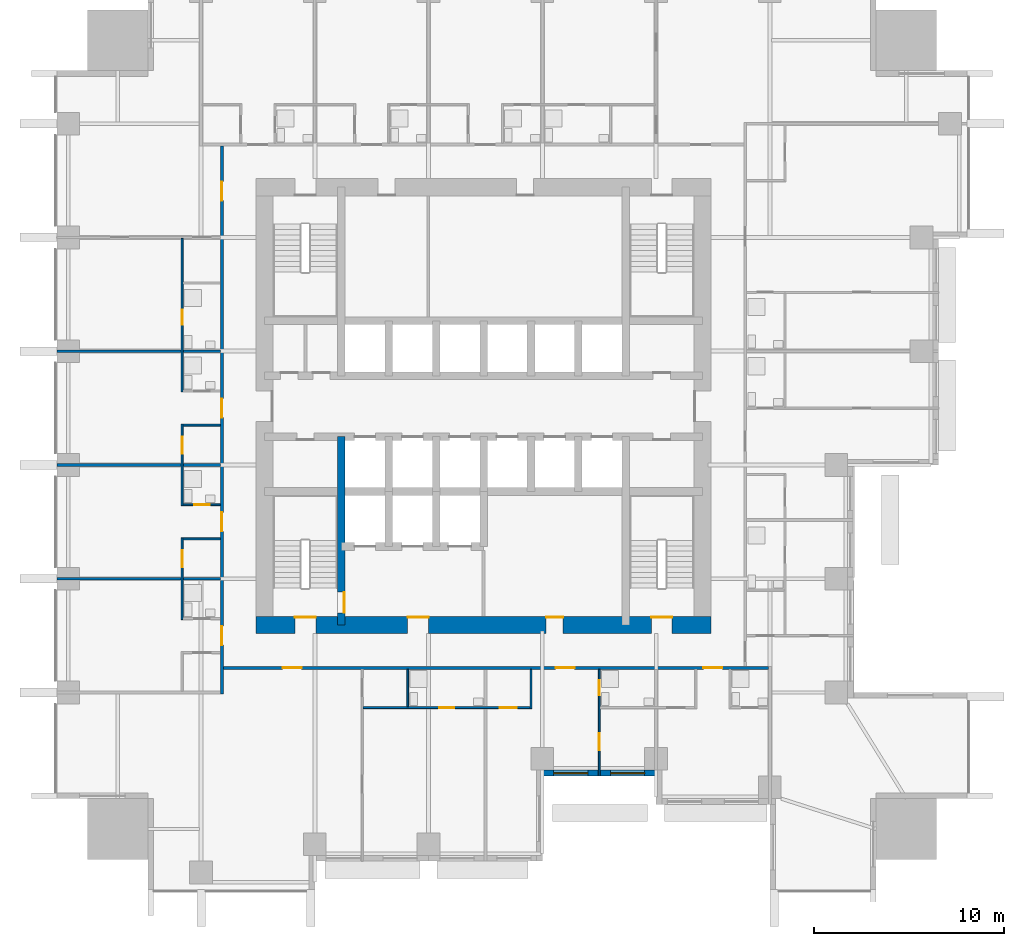
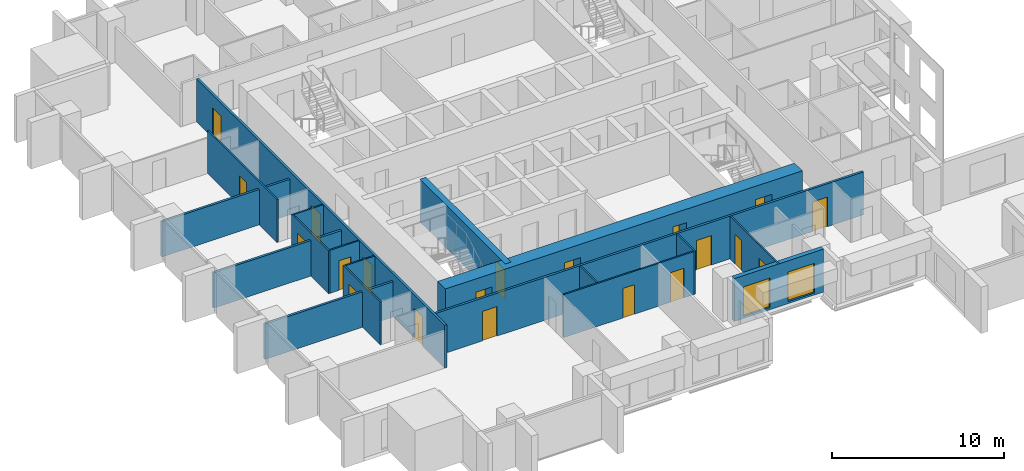
# One storey, part 4 of 10: 20 doors, 18 walls, 2 windows, 22 openings.
"""IFC4 building model written with IfcOpenShell, lengths in metres."""

import ifcopenshell
import ifcopenshell.guid

model = None  # the IFC model being written
_history = None  # IfcOwnerHistory: only IFC2X3 demands one
_inside = {}  # id of a spatial element -> (the spatial element, [elements in it])
_under = {}  # id of a project, library or spatial element -> (it, [spatial elements below it])
_declared = {}  # id of a project -> (the project, [libraries it declares])
_typed = {}  # id of a type object -> (the type object, [elements of that type])
_made_of = {}  # id of a material, layer set ... -> (it, [elements and type objects made of it])


def new_model(schema):
    """Start an empty IFC model of exactly this schema.

    Asked for "IFC4X3", IfcOpenShell would pick the latest addendum, in which some entities
    have other attributes; the version numbers below select the first issue.
    IFC2X3 requires an IfcOwnerHistory on every rooted entity: one is made here for all.
    """
    global model, _history
    if schema == "IFC4X3":
        model = ifcopenshell.file(schema_version=(4, 3, 0, 0))
    else:
        model = ifcopenshell.file(schema=schema)
    _inside.clear()
    _under.clear()
    _declared.clear()
    _typed.clear()
    _made_of.clear()
    _history = None
    if model.schema == "IFC2X3":
        org = make("IfcOrganization", Name="unknown")
        user = make(
            "IfcPersonAndOrganization",
            ThePerson=make("IfcPerson", FamilyName="unknown"),
            TheOrganization=org,
        )
        app = make(
            "IfcApplication",
            ApplicationDeveloper=org,
            Version="unknown",
            ApplicationFullName="unknown",
            ApplicationIdentifier="unknown",
        )
        _history = make(
            "IfcOwnerHistory",
            OwningUser=user,
            OwningApplication=app,
            ChangeAction="ADDED",
            CreationDate=0,
        )
    return model


def make(cls, **values):
    """One entity of the class cls with the attributes given. An attribute that is None is left unset."""
    return model.create_entity(
        cls, **{name: value for name, value in values.items() if value is not None}
    )


def rooted(cls, **values):
    """An entity with a GlobalId (a new one), such as an element, a storey or a relation."""
    return make(cls, GlobalId=ifcopenshell.guid.new(), OwnerHistory=_history, **values)


def si_unit(unit_type, name, prefix=None):
    """IfcSIUnit, for example si_unit("LENGTHUNIT", "METRE", prefix="MILLI")."""
    return make("IfcSIUnit", UnitType=unit_type, Prefix=prefix, Name=name)


def assignment(units):
    """IfcUnitAssignment: the units of a project."""
    return None if units is None else make("IfcUnitAssignment", Units=units)


def point(xyz):
    """IfcCartesianPoint."""
    return None if xyz is None else make("IfcCartesianPoint", Coordinates=xyz)


def direction(xyz):
    """IfcDirection."""
    return None if xyz is None else make("IfcDirection", DirectionRatios=xyz)


def frame(location, z_axis=None, x_axis=None):
    """IfcAxis2Placement3D, a coordinate frame: its origin and axes. An axis left out is left unset."""
    return make(
        "IfcAxis2Placement3D",
        Location=point(location),
        Axis=direction(z_axis),
        RefDirection=direction(x_axis),
    )


def frame_2d(location, x_axis=None):
    """IfcAxis2Placement2D, a coordinate frame in the plane: its origin and x axis."""
    return make(
        "IfcAxis2Placement2D", Location=point(location), RefDirection=direction(x_axis)
    )


def origin():
    """The frame at (0, 0, 0) with its axes left unset."""
    return frame((0.0, 0.0, 0.0))


def place(relative_to, where):
    """IfcLocalPlacement: puts the frame where relative to a parent placement (None: the world)."""
    return make(
        "IfcLocalPlacement", PlacementRelTo=relative_to, RelativePlacement=where
    )


def context(
    kind, dimensions, precision=None, world=None, true_north=None, identifier=None
):
    """IfcGeometricRepresentationContext, for example the 3D "Model" context."""
    return make(
        "IfcGeometricRepresentationContext",
        ContextIdentifier=identifier,
        ContextType=kind,
        CoordinateSpaceDimension=dimensions,
        Precision=precision,
        WorldCoordinateSystem=world,
        TrueNorth=true_north,
    )


def subcontext(parent, identifier, kind, view, scale=None):
    """IfcGeometricRepresentationSubContext, for example "Body" below "Model"."""
    return make(
        "IfcGeometricRepresentationSubContext",
        ContextIdentifier=identifier,
        ContextType=kind,
        ParentContext=parent,
        TargetScale=scale,
        TargetView=view,
    )


def project(units=None, contexts=None):
    """IfcProject with its units and contexts."""
    return rooted(
        "IfcProject",
        Name="project",
        RepresentationContexts=contexts,
        UnitsInContext=assignment(units),
    )


def spatial(cls, under=None, at=None, **own):
    """A site, building, storey or space (cls), placed at a placement, below another one or the project."""
    s = rooted(cls, ObjectPlacement=at, **own)
    if under is not None:
        _under.setdefault(under.id(), (under, []))[1].append(s)
    return s


def profile(cls, at=None, kind="AREA", **sizes):
    """A parametric profile (cls). Its sizes go by their IFC names, for example OverallWidth=200.0."""
    return make(cls, ProfileType=kind, Position=at, **sizes)


def rectangle(**sizes):
    """IfcRectangleProfileDef."""
    return profile("IfcRectangleProfileDef", **sizes)


def extrude(swept, where, along, depth):
    """IfcExtrudedAreaSolid: the profile swept, set in the frame where, extruded along a direction by depth."""
    return make(
        "IfcExtrudedAreaSolid",
        SweptArea=swept,
        Position=where,
        ExtrudedDirection=direction(along),
        Depth=depth,
    )


def shape(context_of_items, identifier, shape_type, items):
    """IfcShapeRepresentation: the items that make up one representation, for example the "Body"."""
    return make(
        "IfcShapeRepresentation",
        ContextOfItems=context_of_items,
        RepresentationIdentifier=identifier,
        RepresentationType=shape_type,
        Items=items,
    )


def material(Name=None, Category=None):
    """IfcMaterial."""
    return make("IfcMaterial", Name=Name, Category=Category)


def layer(
    of_material, thickness, ventilated=None, Name=None, Category=None, Priority=None
):
    """IfcMaterialLayer: one layer of a wall or slab, of a material (None: an air gap)."""
    return make(
        "IfcMaterialLayer",
        Material=of_material,
        LayerThickness=thickness,
        IsVentilated=ventilated,
        Name=Name,
        Category=Category,
        Priority=Priority,
    )


def layer_set(layers, Name=None):
    """IfcMaterialLayerSet."""
    return make("IfcMaterialLayerSet", MaterialLayers=layers, LayerSetName=Name)


def made_of(thing, what):
    """Note that an element or type object is made of a material, layer set ...; save() writes the relation."""
    if what is not None:
        _made_of.setdefault(what.id(), (what, []))[1].append(thing)
    return thing


def type_object(cls, material=None, **own):
    """A type object (cls), such as IfcWallType, which elements share."""
    return made_of(rooted(cls, **own), material)


def element(
    cls,
    number,
    at=None,
    inside=None,
    cuts=None,
    type_object=None,
    material=None,
    context=None,
    identifier="Body",
    shape_type=None,
    held_by="IfcProductDefinitionShape",
    body=None,
    shapes=None,
    **own,
):
    """One element of the class cls, such as IfcWall. Its Tag is "e" and its number.

    at: its placement. inside: the storey or other place that contains it. cuts: it is an
    opening in that element (IfcRelVoidsElement). A single representation is given by context,
    identifier, shape_type and body (its items); several are given by shapes. held_by: the class
    of the entity that holds the representations. save() writes the other relations.
    """
    e = rooted(cls, Tag="e%d" % number, ObjectPlacement=at, **own)
    if body is not None:
        shapes = [shape(context, identifier, shape_type, body)]
    if shapes is not None:
        e.Representation = make(held_by, Representations=shapes)
    if inside is not None:
        _inside.setdefault(inside.id(), (inside, []))[1].append(e)
    if cuts is not None:
        rooted(
            "IfcRelVoidsElement", RelatingBuildingElement=cuts, RelatedOpeningElement=e
        )
    if type_object is not None:
        _typed.setdefault(type_object.id(), (type_object, []))[1].append(e)
    return made_of(e, material)


def fill(opening, filler):
    """IfcRelFillsElement: the door or window that sits in an opening."""
    return rooted(
        "IfcRelFillsElement",
        RelatingOpeningElement=opening,
        RelatedBuildingElement=filler,
    )


def aggregate(whole, parts):
    """IfcRelAggregates: a whole, such as a stair, and the parts it consists of."""
    return rooted("IfcRelAggregates", RelatingObject=whole, RelatedObjects=parts)


def save(model, path):
    """Write the relations noted so far, then the file.

    IfcRelAggregates (storeys below a building ...), IfcRelContainedInSpatialStructure (elements
    in a storey), IfcRelDefinesByType, IfcRelAssociatesMaterial and IfcRelDeclares: one each for
    every whole, place, type object, material and project.
    """
    for whole, parts in _under.values():
        aggregate(whole, parts)
    for where, things in _inside.values():
        rooted(
            "IfcRelContainedInSpatialStructure",
            RelatedElements=things,
            RelatingStructure=where,
        )
    for kind, things in _typed.values():
        rooted("IfcRelDefinesByType", RelatedObjects=things, RelatingType=kind)
    for what, things in _made_of.values():
        rooted("IfcRelAssociatesMaterial", RelatedObjects=things, RelatingMaterial=what)
    for by, libraries in _declared.values():
        rooted("IfcRelDeclares", RelatingContext=by, RelatedDefinitions=libraries)
    model.write(path)


model = new_model("IFC4")

# Units and contexts
model_context = context("Model", 3, precision=1e-05, world=origin(), true_north=direction((0.0, 1.0)))
body_context = subcontext(model_context, "Body", "Model", "MODEL_VIEW")
ifc_project = project(units=[si_unit("LENGTHUNIT", "METRE"), si_unit("AREAUNIT", "SQUARE_METRE"), si_unit("VOLUMEUNIT", "CUBIC_METRE"), si_unit("PLANEANGLEUNIT", "RADIAN"), si_unit("MASSUNIT", "GRAM", prefix="KILO")], contexts=[model_context])

# Site, building, storey
site_placement = place(None, origin())
site = spatial("IfcSite", under=ifc_project, at=site_placement, CompositionType="ELEMENT")
building_placement = place(site_placement, origin())
building = spatial("IfcBuilding", under=site, at=building_placement, Name="Amberfall Residences", CompositionType="ELEMENT")
storey_placement = place(building_placement, frame((0.0, 0.0, 30.10009765625)))
storey = spatial("IfcBuildingStorey", under=building, at=storey_placement, Name="L07", CompositionType="ELEMENT", Elevation=30.10009765625)

# Wall, openings, windows
ifc_material_1 = material(Name="Pale stone cladding on insulated backing", Category="masonry")
ifc_layer_1 = layer(ifc_material_1, 0.300048828125)
ifc_layer_set_1 = layer_set([ifc_layer_1], Name="Bronze clad wall 300")
wall_type_1 = type_object("IfcWallType", Name="Bronze clad wall 300", PredefinedType="SOLIDWALL", material=ifc_layer_set_1)
wall_1_placement = place(storey_placement, frame((77.60009765625, 26.14990234375, 0.0), z_axis=(0.0, 0.0, 1.0), x_axis=(1.0, 0.0, 0.0)))
wall_1 = element("IfcWall", 1, at=wall_1_placement, inside=storey, type_object=wall_type_1, Name="Stone wall L07 S", PredefinedType="SOLIDWALL", context=body_context, shape_type="SweptSolid", body=[
    extrude(rectangle(XDim=6.0, YDim=0.300048828125, at=frame_2d((3.0, 0.0))), origin(), (0.0, 0.0, 1.0), 3.0498046875),
])
opening_1_placement = place(wall_1_placement, frame((0.60009765625, 0.0, 0.14990234375)))
opening_1 = element("IfcOpeningElement", 2, at=opening_1_placement, cuts=wall_1, Name="Opening WN6", PredefinedType="OPENING", context=body_context, shape_type="SweptSolid", body=[
    extrude(rectangle(XDim=1.800048828125, YDim=2.10009765625, at=frame_2d((0.89990234375, 1.050048828125))), frame((0.0, 0.159912109375, 0.0), z_axis=(0.0, -1.0, 0.0), x_axis=(1.0, 0.0, 0.0)), (0.0, 0.0, 1.0), 0.320068359375),
])
opening_2_placement = place(wall_1_placement, frame((3.60009765625, 0.0, 0.14990234375)))
opening_2 = element("IfcOpeningElement", 3, at=opening_2_placement, cuts=wall_1, Name="Opening WN6", PredefinedType="OPENING", context=body_context, shape_type="SweptSolid", body=[
    extrude(rectangle(XDim=1.800048828125, YDim=2.10009765625, at=frame_2d((0.89990234375, 1.050048828125))), frame((0.0, 0.159912109375, 0.0), z_axis=(0.0, -1.0, 0.0), x_axis=(1.0, 0.0, 0.0)), (0.0, 0.0, 1.0), 0.320068359375),
])
ifc_material_2 = material(Name="Bronze aluminium framed glazing", Category="aluminium")
window_type = type_object("IfcWindowType", Name="Glazed opening 1800 x 2100 bronze", PartitioningType="DOUBLE_PANEL_VERTICAL", PredefinedType="WINDOW", material=ifc_material_2)
window_1_placement = place(opening_1_placement, origin())
window_1 = element("IfcWindow", 4, at=window_1_placement, inside=storey, type_object=window_type, Name="Window L07 S", OverallHeight=2.10009765625, OverallWidth=1.800048828125, PartitioningType="DOUBLE_PANEL_VERTICAL", PredefinedType="WINDOW", context=body_context, shape_type="SweptSolid", body=[
    extrude(rectangle(XDim=1.800048828125, YDim=2.10009765625, at=frame_2d((0.89990234375, 1.050048828125))), frame((0.0, 0.030029296875, 0.0), z_axis=(0.0, -1.0, 0.0), x_axis=(1.0, 0.0, 0.0)), (0.0, 0.0, 1.0), 0.06005859375),
])
fill(opening_1, window_1)
window_2_placement = place(opening_2_placement, origin())
window_2 = element("IfcWindow", 5, at=window_2_placement, inside=storey, type_object=window_type, Name="Window L07 S", OverallHeight=2.10009765625, OverallWidth=1.800048828125, PartitioningType="DOUBLE_PANEL_VERTICAL", PredefinedType="WINDOW", context=body_context, shape_type="SweptSolid", body=[
    extrude(rectangle(XDim=1.800048828125, YDim=2.10009765625, at=frame_2d((0.89990234375, 1.050048828125))), frame((0.0, 0.030029296875, 0.0), z_axis=(0.0, -1.0, 0.0), x_axis=(1.0, 0.0, 0.0)), (0.0, 0.0, 1.0), 0.06005859375),
])
fill(opening_2, window_2)

# Wall, opening, door
ifc_material_3 = material(Name="Concrete C80", Category="concrete")
ifc_layer_2 = layer(ifc_material_3, 0.39990234375)
ifc_layer_set_2 = layer_set([ifc_layer_2], Name="Core wall 400 C80")
wall_type_2 = type_object("IfcWallType", Name="Core wall 400 C80", PredefinedType="SHEAR", material=ifc_layer_set_2)
wall_2_placement = place(storey_placement, frame((67.0, 33.949951171875, 0.0), z_axis=(0.0, 0.0, 1.0), x_axis=(0.0, 1.0, 0.0)))
wall_2 = element("IfcWall", 6, at=wall_2_placement, inside=storey, type_object=wall_type_2, Name="Core wall RW2 L07 V45S", PredefinedType="SHEAR", context=body_context, shape_type="SweptSolid", body=[
    extrude(rectangle(XDim=9.949951171875, YDim=0.39990234375, at=frame_2d((4.97509765625, 0.0))), origin(), (0.0, 0.0, 1.0), 3.0498046875),
])
opening_3_placement = place(wall_2_placement, frame((0.64990234375, 0.0, 0.0)))
opening_3 = element("IfcOpeningElement", 7, at=opening_3_placement, cuts=wall_2, Name="Opening FL1", PredefinedType="OPENING", context=body_context, shape_type="SweptSolid", body=[
    extrude(rectangle(XDim=1.10009765625, YDim=2.10009765625, at=frame_2d((0.550048828125, 1.050048828125))), frame((0.0, 0.2099609375, 0.0), z_axis=(0.0, -1.0, 0.0), x_axis=(1.0, 0.0, 0.0)), (0.0, 0.0, 1.0), 0.419921875),
])
ifc_material_4 = material(Name="Steel fire door set", Category="steel")
door_type_1 = type_object("IfcDoorType", Name="Firefighting lobby door 1100 x 2100", OperationType="SINGLE_SWING_LEFT", PredefinedType="DOOR", material=ifc_material_4)
door_1_placement = place(opening_3_placement, origin())
door_1 = element("IfcDoor", 8, at=door_1_placement, inside=storey, type_object=door_type_1, Name="FL1 L07", OperationType="SINGLE_SWING_RIGHT", OverallHeight=2.10009765625, OverallWidth=1.10009765625, PredefinedType="DOOR", context=body_context, shape_type="SweptSolid", body=[
    extrude(rectangle(XDim=1.10009765625, YDim=2.10009765625, at=frame_2d((0.550048828125, 1.050048828125))), frame((0.0, -0.1376953125, 0.0), z_axis=(0.0, -1.0, 0.0), x_axis=(1.0, 0.0, 0.0)), (0.0, 0.0, 1.0), 0.050048828125),
])
fill(opening_3, door_1)

# Wall, openings, doors
ifc_layer_3 = layer(ifc_material_3, 0.89990234375)
ifc_layer_set_3 = layer_set([ifc_layer_3], Name="Core wall 900 C80")
wall_type_3 = type_object("IfcWallType", Name="Core wall 900 C80", PredefinedType="SHEAR", material=ifc_layer_set_3)
wall_3_placement = place(storey_placement, frame((62.5, 33.949951171875, 0.0), z_axis=(0.0, 0.0, 1.0), x_axis=(1.0, 0.0, 0.0)))
wall_3 = element("IfcWall", 9, at=wall_3_placement, inside=storey, type_object=wall_type_3, Name="Core wall RW1 L07 OS", PredefinedType="SHEAR", context=body_context, shape_type="SweptSolid", body=[
    extrude(rectangle(XDim=24.0, YDim=0.89990234375, at=frame_2d((12.0, 0.0))), origin(), (0.0, 0.0, 1.0), 3.0498046875),
])
opening_4_placement = place(wall_3_placement, frame((2.050048828125, 0.0, 0.0)))
opening_4 = element("IfcOpeningElement", 10, at=opening_4_placement, cuts=wall_3, Name="Opening SD1", PredefinedType="OPENING", context=body_context, shape_type="SweptSolid", body=[
    extrude(rectangle(XDim=1.10009765625, YDim=2.10009765625, at=frame_2d((0.550048828125, 1.050048828125))), frame((0.0, 0.4599609375, 0.0), z_axis=(0.0, -1.0, 0.0), x_axis=(1.0, 0.0, 0.0)), (0.0, 0.0, 1.0), 0.919921875),
])
opening_5_placement = place(wall_3_placement, frame((20.85009765625, 0.0, 0.0)))
opening_5 = element("IfcOpeningElement", 11, at=opening_5_placement, cuts=wall_3, Name="Opening SD1", PredefinedType="OPENING", context=body_context, shape_type="SweptSolid", body=[
    extrude(rectangle(XDim=1.10009765625, YDim=2.10009765625, at=frame_2d((0.550048828125, 1.050048828125))), frame((0.0, 0.4599609375, 0.0), z_axis=(0.0, -1.0, 0.0), x_axis=(1.0, 0.0, 0.0)), (0.0, 0.0, 1.0), 0.919921875),
])
opening_6_placement = place(wall_3_placement, frame((8.0, 0.0, 0.0)))
opening_6 = element("IfcOpeningElement", 12, at=opening_6_placement, cuts=wall_3, Name="Opening FL1", PredefinedType="OPENING", context=body_context, shape_type="SweptSolid", body=[
    extrude(rectangle(XDim=1.10009765625, YDim=2.10009765625, at=frame_2d((0.550048828125, 1.050048828125))), frame((0.0, 0.4599609375, 0.0), z_axis=(0.0, -1.0, 0.0), x_axis=(1.0, 0.0, 0.0)), (0.0, 0.0, 1.0), 0.919921875),
])
opening_7_placement = place(wall_3_placement, frame((15.300048828125, 0.0, 0.0)))
opening_7 = element("IfcOpeningElement", 13, at=opening_7_placement, cuts=wall_3, Name="Opening RD1", PredefinedType="OPENING", context=body_context, shape_type="SweptSolid", body=[
    extrude(rectangle(XDim=0.89990234375, YDim=2.10009765625, at=frame_2d((0.449951171875, 1.050048828125))), frame((0.0, 0.4599609375, 0.0), z_axis=(0.0, -1.0, 0.0), x_axis=(1.0, 0.0, 0.0)), (0.0, 0.0, 1.0), 0.919921875),
])
door_2_placement = place(opening_6_placement, origin())
door_2 = element("IfcDoor", 14, at=door_2_placement, inside=storey, type_object=door_type_1, Name="FL1 L07", OperationType="SINGLE_SWING_LEFT", OverallHeight=2.10009765625, OverallWidth=1.10009765625, PredefinedType="DOOR", context=body_context, shape_type="SweptSolid", body=[
    extrude(rectangle(XDim=1.10009765625, YDim=2.10009765625, at=frame_2d((0.550048828125, 1.050048828125))), frame((0.0, 0.4375, 0.0), z_axis=(0.0, -1.0, 0.0), x_axis=(1.0, 0.0, 0.0)), (0.0, 0.0, 1.0), 0.050048828125),
])
fill(opening_6, door_2)
door_type_2 = type_object("IfcDoorType", Name="Service room door 900 x 2100", OperationType="SINGLE_SWING_LEFT", PredefinedType="DOOR", material=ifc_material_4)
door_3_placement = place(opening_7_placement, origin())
door_3 = element("IfcDoor", 15, at=door_3_placement, inside=storey, type_object=door_type_2, Name="RD1 L07", OperationType="SINGLE_SWING_LEFT", OverallHeight=2.10009765625, OverallWidth=0.89990234375, PredefinedType="DOOR", context=body_context, shape_type="SweptSolid", body=[
    extrude(rectangle(XDim=0.89990234375, YDim=2.10009765625, at=frame_2d((0.449951171875, 1.050048828125))), frame((0.0, 0.4375, 0.0), z_axis=(0.0, -1.0, 0.0), x_axis=(1.0, 0.0, 0.0)), (0.0, 0.0, 1.0), 0.050048828125),
])
fill(opening_7, door_3)
door_type_3 = type_object("IfcDoorType", Name="Stair door 1100 x 2100", OperationType="SINGLE_SWING_LEFT", PredefinedType="DOOR", material=ifc_material_4)
door_4_placement = place(opening_4_placement, origin())
door_4 = element("IfcDoor", 16, at=door_4_placement, inside=storey, type_object=door_type_3, Name="SD1 L07", OperationType="SINGLE_SWING_LEFT", OverallHeight=2.10009765625, OverallWidth=1.10009765625, PredefinedType="DOOR", context=body_context, shape_type="SweptSolid", body=[
    extrude(rectangle(XDim=1.10009765625, YDim=2.10009765625, at=frame_2d((0.550048828125, 1.050048828125))), frame((0.0, 0.4375, 0.0), z_axis=(0.0, -1.0, 0.0), x_axis=(1.0, 0.0, 0.0)), (0.0, 0.0, 1.0), 0.050048828125),
])
fill(opening_4, door_4)
door_5_placement = place(opening_5_placement, origin())
door_5 = element("IfcDoor", 17, at=door_5_placement, inside=storey, type_object=door_type_3, Name="SD1 L07", OperationType="SINGLE_SWING_RIGHT", OverallHeight=2.10009765625, OverallWidth=1.10009765625, PredefinedType="DOOR", context=body_context, shape_type="SweptSolid", body=[
    extrude(rectangle(XDim=1.10009765625, YDim=2.10009765625, at=frame_2d((0.550048828125, 1.050048828125))), frame((0.0, 0.4375, 0.0), z_axis=(0.0, -1.0, 0.0), x_axis=(1.0, 0.0, 0.0)), (0.0, 0.0, 1.0), 0.050048828125),
])
fill(opening_5, door_5)

# Wall, opening, door
ifc_material_5 = material(Name="Gypsum board on metal stud")
ifc_layer_4 = layer(ifc_material_5, 0.10009765625)
ifc_layer_set_4 = layer_set([ifc_layer_4], Name="Flat partition 100")
wall_type_4 = type_object("IfcWallType", Name="Flat partition 100", PredefinedType="PARTITIONING", material=ifc_layer_set_4)
wall_4_placement = place(storey_placement, frame((58.60009765625, 38.550048828125, 0.0), z_axis=(0.0, 0.0, 1.0), x_axis=(0.0, -1.0, 0.0)))
wall_4 = element("IfcWall", 18, at=wall_4_placement, inside=storey, type_object=wall_type_4, Name="Partition 002", PredefinedType="PARTITIONING", context=body_context, shape_type="SweptSolid", body=[
    extrude(rectangle(XDim=4.300048828125, YDim=0.10009765625, at=frame_2d((2.14990234375, 0.0))), origin(), (0.0, 0.0, 1.0), 3.0498046875),
])
opening_8_placement = place(wall_4_placement, frame((0.64990234375, 0.0, 0.0)))
opening_8 = element("IfcOpeningElement", 19, at=opening_8_placement, cuts=wall_4, Name="Opening D41", PredefinedType="OPENING", context=body_context, shape_type="SweptSolid", body=[
    extrude(rectangle(XDim=0.89990234375, YDim=2.10009765625, at=frame_2d((0.449951171875, 1.050048828125))), frame((0.0, 0.06005859375, 0.0), z_axis=(0.0, -1.0, 0.0), x_axis=(1.0, 0.0, 0.0)), (0.0, 0.0, 1.0), 0.1201171875),
])
ifc_material_6 = material(Name="Timber", Category="wood")
door_type_4 = type_object("IfcDoorType", Name="Internal door 900 x 2100", OperationType="SINGLE_SWING_LEFT", PredefinedType="DOOR", material=ifc_material_6)
door_6_placement = place(opening_8_placement, origin())
door_6 = element("IfcDoor", 20, at=door_6_placement, inside=storey, type_object=door_type_4, Name="Door 0712 kitchen", OperationType="SINGLE_SWING_LEFT", OverallHeight=2.10009765625, OverallWidth=0.89990234375, PredefinedType="DOOR", context=body_context, shape_type="SweptSolid", body=[
    extrude(rectangle(XDim=0.89990234375, YDim=2.10009765625, at=frame_2d((0.449951171875, 1.050048828125))), frame((0.0, 0.02490234375, 0.0), z_axis=(0.0, -1.0, 0.0), x_axis=(1.0, 0.0, 0.0)), (0.0, 0.0, 1.0), 0.050048828125),
])
fill(opening_8, door_6)

wall_5_placement = place(storey_placement, frame((58.60009765625, 44.550048828125, 0.0), z_axis=(0.0, 0.0, 1.0), x_axis=(0.0, -1.0, 0.0)))
wall_5 = element("IfcWall", 21, at=wall_5_placement, inside=storey, type_object=wall_type_4, Name="Partition 003", PredefinedType="PARTITIONING", context=body_context, shape_type="SweptSolid", body=[
    extrude(rectangle(XDim=4.300048828125, YDim=0.10009765625, at=frame_2d((2.14990234375, 0.0))), origin(), (0.0, 0.0, 1.0), 3.0498046875),
])
opening_9_placement = place(wall_5_placement, frame((0.64990234375, 0.0, 0.0)))
opening_9 = element("IfcOpeningElement", 22, at=opening_9_placement, cuts=wall_5, Name="Opening D41", PredefinedType="OPENING", context=body_context, shape_type="SweptSolid", body=[
    extrude(rectangle(XDim=0.89990234375, YDim=2.10009765625, at=frame_2d((0.449951171875, 1.050048828125))), frame((0.0, 0.06005859375, 0.0), z_axis=(0.0, -1.0, 0.0), x_axis=(1.0, 0.0, 0.0)), (0.0, 0.0, 1.0), 0.1201171875),
])
door_7_placement = place(opening_9_placement, origin())
door_7 = element("IfcDoor", 23, at=door_7_placement, inside=storey, type_object=door_type_4, Name="Door 0713 kitchen", OperationType="SINGLE_SWING_LEFT", OverallHeight=2.10009765625, OverallWidth=0.89990234375, PredefinedType="DOOR", context=body_context, shape_type="SweptSolid", body=[
    extrude(rectangle(XDim=0.89990234375, YDim=2.10009765625, at=frame_2d((0.449951171875, 1.050048828125))), frame((0.0, 0.02490234375, 0.0), z_axis=(0.0, -1.0, 0.0), x_axis=(1.0, 0.0, 0.0)), (0.0, 0.0, 1.0), 0.050048828125),
])
fill(opening_9, door_7)

wall_6_placement = place(storey_placement, frame((58.60009765625, 54.35009765625, 0.0), z_axis=(0.0, 0.0, 1.0), x_axis=(0.0, -1.0, 0.0)))
wall_6 = element("IfcWall", 24, at=wall_6_placement, inside=storey, type_object=wall_type_4, Name="Partition 004", PredefinedType="PARTITIONING", context=body_context, shape_type="SweptSolid", body=[
    extrude(rectangle(XDim=8.10009765625, YDim=0.10009765625, at=frame_2d((4.050048828125, 0.0))), origin(), (0.0, 0.0, 1.0), 3.0498046875),
])
opening_10_placement = place(wall_6_placement, frame((3.75, 0.0, 0.0)))
opening_10 = element("IfcOpeningElement", 25, at=opening_10_placement, cuts=wall_6, Name="Opening D42", PredefinedType="OPENING", context=body_context, shape_type="SweptSolid", body=[
    extrude(rectangle(XDim=0.800048828125, YDim=2.10009765625, at=frame_2d((0.39990234375, 1.050048828125))), frame((0.0, 0.06005859375, 0.0), z_axis=(0.0, -1.0, 0.0), x_axis=(1.0, 0.0, 0.0)), (0.0, 0.0, 1.0), 0.1201171875),
])
door_type_5 = type_object("IfcDoorType", Name="Bathroom door 800 x 2100", OperationType="SINGLE_SWING_LEFT", PredefinedType="DOOR", material=ifc_material_6)
door_8_placement = place(opening_10_placement, origin())
door_8 = element("IfcDoor", 26, at=door_8_placement, inside=storey, type_object=door_type_5, Name="Door 0714 bath1", OperationType="SINGLE_SWING_LEFT", OverallHeight=2.10009765625, OverallWidth=0.800048828125, PredefinedType="DOOR", context=body_context, shape_type="SweptSolid", body=[
    extrude(rectangle(XDim=0.800048828125, YDim=2.10009765625, at=frame_2d((0.39990234375, 1.050048828125))), frame((0.0, 0.02490234375, 0.0), z_axis=(0.0, -1.0, 0.0), x_axis=(1.0, 0.0, 0.0)), (0.0, 0.0, 1.0), 0.050048828125),
])
fill(opening_10, door_8)

# Walls
wall_7_placement = place(storey_placement, frame((70.5, 29.64990234375, 0.0), z_axis=(0.0, 0.0, 1.0), x_axis=(0.0, 1.0, 0.0)))
element("IfcWall", 27, at=wall_7_placement, inside=storey, type_object=wall_type_4, Name="Partition 010", PredefinedType="PARTITIONING", context=body_context, shape_type="SweptSolid", body=[
    extrude(rectangle(XDim=1.97509765625, YDim=0.10009765625, at=frame_2d((0.987548828125, 0.0))), origin(), (0.0, 0.0, 1.0), 3.0498046875),
])
wall_8_placement = place(storey_placement, frame((77.0, 29.550048828125, 0.0), z_axis=(0.0, 0.0, 1.0), x_axis=(0.0, 1.0, 0.0)))
element("IfcWall", 28, at=wall_8_placement, inside=storey, type_object=wall_type_4, Name="Partition 013", PredefinedType="PARTITIONING", context=body_context, shape_type="SweptSolid", body=[
    extrude(rectangle(XDim=2.074951171875, YDim=0.10009765625, at=frame_2d((1.03759765625, 0.0))), origin(), (0.0, 0.0, 1.0), 3.0498046875),
])

# Wall, openings, doors
wall_9_placement = place(storey_placement, frame((80.60009765625, 31.625, 0.0), z_axis=(0.0, 0.0, 1.0), x_axis=(0.0, -1.0, 0.0)))
wall_9 = element("IfcWall", 29, at=wall_9_placement, inside=storey, type_object=wall_type_4, Name="Partition 014", PredefinedType="PARTITIONING", context=body_context, shape_type="SweptSolid", body=[
    extrude(rectangle(XDim=5.625, YDim=0.10009765625, at=frame_2d((2.8125, 0.0))), origin(), (0.0, 0.0, 1.0), 3.0498046875),
])
opening_11_placement = place(wall_9_placement, frame((3.375, 0.0, 0.0)))
opening_11 = element("IfcOpeningElement", 30, at=opening_11_placement, cuts=wall_9, Name="Opening D41", PredefinedType="OPENING", context=body_context, shape_type="SweptSolid", body=[
    extrude(rectangle(XDim=0.89990234375, YDim=2.10009765625, at=frame_2d((0.449951171875, 1.050048828125))), frame((0.0, 0.06005859375, 0.0), z_axis=(0.0, -1.0, 0.0), x_axis=(1.0, 0.0, 0.0)), (0.0, 0.0, 1.0), 0.1201171875),
])
opening_12_placement = place(wall_9_placement, frame((0.574951171875, 0.0, 0.0)))
opening_12 = element("IfcOpeningElement", 31, at=opening_12_placement, cuts=wall_9, Name="Opening D42", PredefinedType="OPENING", context=body_context, shape_type="SweptSolid", body=[
    extrude(rectangle(XDim=0.800048828125, YDim=2.10009765625, at=frame_2d((0.39990234375, 1.050048828125))), frame((0.0, 0.06005859375, 0.0), z_axis=(0.0, -1.0, 0.0), x_axis=(1.0, 0.0, 0.0)), (0.0, 0.0, 1.0), 0.1201171875),
])
door_9_placement = place(opening_12_placement, origin())
door_9 = element("IfcDoor", 32, at=door_9_placement, inside=storey, type_object=door_type_5, Name="Door 0702 bath1", OperationType="SINGLE_SWING_LEFT", OverallHeight=2.10009765625, OverallWidth=0.800048828125, PredefinedType="DOOR", context=body_context, shape_type="SweptSolid", body=[
    extrude(rectangle(XDim=0.800048828125, YDim=2.10009765625, at=frame_2d((0.39990234375, 1.050048828125))), frame((0.0, 0.02490234375, 0.0), z_axis=(0.0, -1.0, 0.0), x_axis=(1.0, 0.0, 0.0)), (0.0, 0.0, 1.0), 0.050048828125),
])
fill(opening_12, door_9)
door_10_placement = place(opening_11_placement, origin())
door_10 = element("IfcDoor", 33, at=door_10_placement, inside=storey, type_object=door_type_4, Name="Door 0702 bedroom1", OperationType="SINGLE_SWING_LEFT", OverallHeight=2.10009765625, OverallWidth=0.89990234375, PredefinedType="DOOR", context=body_context, shape_type="SweptSolid", body=[
    extrude(rectangle(XDim=0.89990234375, YDim=2.10009765625, at=frame_2d((0.449951171875, 1.050048828125))), frame((0.0, 0.02490234375, 0.0), z_axis=(0.0, -1.0, 0.0), x_axis=(1.0, 0.0, 0.0)), (0.0, 0.0, 1.0), 0.050048828125),
])
fill(opening_11, door_10)

# Wall
wall_10_placement = place(storey_placement, frame((58.64990234375, 44.5, 0.0), z_axis=(0.0, 0.0, 1.0), x_axis=(1.0, 0.0, 0.0)))
element("IfcWall", 34, at=wall_10_placement, inside=storey, type_object=wall_type_4, Name="Partition 033", PredefinedType="PARTITIONING", context=body_context, shape_type="SweptSolid", body=[
    extrude(rectangle(XDim=1.97509765625, YDim=0.10009765625, at=frame_2d((0.987548828125, 0.0))), origin(), (0.0, 0.0, 1.0), 3.0498046875),
])

# Wall, opening, door
wall_11_placement = place(storey_placement, frame((58.64990234375, 40.300048828125, 0.0), z_axis=(0.0, 0.0, 1.0), x_axis=(1.0, 0.0, 0.0)))
wall_11 = element("IfcWall", 35, at=wall_11_placement, inside=storey, type_object=wall_type_4, Name="Partition 035", PredefinedType="PARTITIONING", context=body_context, shape_type="SweptSolid", body=[
    extrude(rectangle(XDim=1.97509765625, YDim=0.10009765625, at=frame_2d((0.987548828125, 0.0))), origin(), (0.0, 0.0, 1.0), 3.0498046875),
])
opening_13_placement = place(wall_11_placement, frame((0.60009765625, 0.0, 0.0)))
opening_13 = element("IfcOpeningElement", 36, at=opening_13_placement, cuts=wall_11, Name="Opening D42", PredefinedType="OPENING", context=body_context, shape_type="SweptSolid", body=[
    extrude(rectangle(XDim=0.800048828125, YDim=2.10009765625, at=frame_2d((0.39990234375, 1.050048828125))), frame((0.0, 0.06005859375, 0.0), z_axis=(0.0, -1.0, 0.0), x_axis=(1.0, 0.0, 0.0)), (0.0, 0.0, 1.0), 0.1201171875),
])
door_11_placement = place(opening_13_placement, origin())
door_11 = element("IfcDoor", 37, at=door_11_placement, inside=storey, type_object=door_type_5, Name="Door 0712 bath1", OperationType="SINGLE_SWING_LEFT", OverallHeight=2.10009765625, OverallWidth=0.800048828125, PredefinedType="DOOR", context=body_context, shape_type="SweptSolid", body=[
    extrude(rectangle(XDim=0.800048828125, YDim=2.10009765625, at=frame_2d((0.39990234375, 1.050048828125))), frame((0.0, 0.02490234375, 0.0), z_axis=(0.0, -1.0, 0.0), x_axis=(1.0, 0.0, 0.0)), (0.0, 0.0, 1.0), 0.050048828125),
])
fill(opening_13, door_11)

# Wall
wall_12_placement = place(storey_placement, frame((58.64990234375, 38.5, 0.0), z_axis=(0.0, 0.0, 1.0), x_axis=(1.0, 0.0, 0.0)))
element("IfcWall", 38, at=wall_12_placement, inside=storey, type_object=wall_type_4, Name="Partition 036", PredefinedType="PARTITIONING", context=body_context, shape_type="SweptSolid", body=[
    extrude(rectangle(XDim=1.97509765625, YDim=0.10009765625, at=frame_2d((0.987548828125, 0.0))), origin(), (0.0, 0.0, 1.0), 3.0498046875),
])

# Wall, openings, doors
wall_13_placement = place(storey_placement, frame((68.14990234375, 29.60009765625, 0.0), z_axis=(0.0, 0.0, 1.0), x_axis=(1.0, 0.0, 0.0)))
wall_13 = element("IfcWall", 39, at=wall_13_placement, inside=storey, type_object=wall_type_4, Name="Partition 041", PredefinedType="PARTITIONING", context=body_context, shape_type="SweptSolid", body=[
    extrude(rectangle(XDim=8.800048828125, YDim=0.10009765625, at=frame_2d((4.39990234375, 0.0))), origin(), (0.0, 0.0, 1.0), 3.0498046875),
])
opening_14_placement = place(wall_13_placement, frame((4.0, 0.0, 0.0)))
opening_14 = element("IfcOpeningElement", 40, at=opening_14_placement, cuts=wall_13, Name="Opening D42", PredefinedType="OPENING", context=body_context, shape_type="SweptSolid", body=[
    extrude(rectangle(XDim=0.800048828125, YDim=2.10009765625, at=frame_2d((0.39990234375, 1.050048828125))), frame((0.0, 0.06005859375, 0.0), z_axis=(0.0, -1.0, 0.0), x_axis=(1.0, 0.0, 0.0)), (0.0, 0.0, 1.0), 0.1201171875),
])
opening_15_placement = place(wall_13_placement, frame((7.199951171875, 0.0, 0.0)))
opening_15 = element("IfcOpeningElement", 41, at=opening_15_placement, cuts=wall_13, Name="Opening D41", PredefinedType="OPENING", context=body_context, shape_type="SweptSolid", body=[
    extrude(rectangle(XDim=0.89990234375, YDim=2.10009765625, at=frame_2d((0.449951171875, 1.050048828125))), frame((0.0, 0.06005859375, 0.0), z_axis=(0.0, -1.0, 0.0), x_axis=(1.0, 0.0, 0.0)), (0.0, 0.0, 1.0), 0.1201171875),
])
door_12_placement = place(opening_14_placement, origin())
door_12 = element("IfcDoor", 42, at=door_12_placement, inside=storey, type_object=door_type_5, Name="Door 0701 bath1", OperationType="SINGLE_SWING_LEFT", OverallHeight=2.10009765625, OverallWidth=0.800048828125, PredefinedType="DOOR", context=body_context, shape_type="SweptSolid", body=[
    extrude(rectangle(XDim=0.800048828125, YDim=2.10009765625, at=frame_2d((0.39990234375, 1.050048828125))), frame((0.0, 0.02490234375, 0.0), z_axis=(0.0, -1.0, 0.0), x_axis=(1.0, 0.0, 0.0)), (0.0, 0.0, 1.0), 0.050048828125),
])
fill(opening_14, door_12)
door_13_placement = place(opening_15_placement, origin())
door_13 = element("IfcDoor", 43, at=door_13_placement, inside=storey, type_object=door_type_4, Name="Door 0702 kitchen", OperationType="SINGLE_SWING_LEFT", OverallHeight=2.10009765625, OverallWidth=0.89990234375, PredefinedType="DOOR", context=body_context, shape_type="SweptSolid", body=[
    extrude(rectangle(XDim=0.89990234375, YDim=2.10009765625, at=frame_2d((0.449951171875, 1.050048828125))), frame((0.0, 0.02490234375, 0.0), z_axis=(0.0, -1.0, 0.0), x_axis=(1.0, 0.0, 0.0)), (0.0, 0.0, 1.0), 0.050048828125),
])
fill(opening_15, door_13)

ifc_material_7 = material(Name="Blockwork, plastered", Category="masonry")
ifc_layer_5 = layer(ifc_material_7, 0.14990234375)
ifc_layer_set_5 = layer_set([ifc_layer_5], Name="Flat separating wall 150")
wall_type_5 = type_object("IfcWallType", Name="Flat separating wall 150", PredefinedType="PARTITIONING", material=ifc_layer_set_5)
wall_14_placement = place(storey_placement, frame((60.699951171875, 30.324951171875, 0.0), z_axis=(0.0, 0.0, 1.0), x_axis=(0.0, 1.0, 0.0)))
wall_14 = element("IfcWall", 44, at=wall_14_placement, inside=storey, type_object=wall_type_5, Name="Separating wall 045", PredefinedType="PARTITIONING", context=body_context, shape_type="SweptSolid", body=[
    extrude(rectangle(XDim=28.900146484375, YDim=0.14990234375, at=frame_2d((14.4501953125, 0.0))), origin(), (0.0, 0.0, 1.0), 3.0498046875),
])
opening_16_placement = place(wall_14_placement, frame((2.574951171875, 0.0, 0.0)))
opening_16 = element("IfcOpeningElement", 45, at=opening_16_placement, cuts=wall_14, Name="Opening D40", PredefinedType="OPENING", context=body_context, shape_type="SweptSolid", body=[
    extrude(rectangle(XDim=1.0, YDim=2.10009765625, at=frame_2d((0.5, 1.050048828125))), frame((0.0, 0.0849609375, 0.0), z_axis=(0.0, -1.0, 0.0), x_axis=(1.0, 0.0, 0.0)), (0.0, 0.0, 1.0), 0.169921875),
])
opening_17_placement = place(wall_14_placement, frame((8.574951171875, 0.0, 0.0)))
opening_17 = element("IfcOpeningElement", 46, at=opening_17_placement, cuts=wall_14, Name="Opening D40", PredefinedType="OPENING", context=body_context, shape_type="SweptSolid", body=[
    extrude(rectangle(XDim=1.0, YDim=2.10009765625, at=frame_2d((0.5, 1.050048828125))), frame((0.0, 0.0849609375, 0.0), z_axis=(0.0, -1.0, 0.0), x_axis=(1.0, 0.0, 0.0)), (0.0, 0.0, 1.0), 0.169921875),
])
opening_18_placement = place(wall_14_placement, frame((14.574951171875, 0.0, 0.0)))
opening_18 = element("IfcOpeningElement", 47, at=opening_18_placement, cuts=wall_14, Name="Opening D40", PredefinedType="OPENING", context=body_context, shape_type="SweptSolid", body=[
    extrude(rectangle(XDim=1.0, YDim=2.10009765625, at=frame_2d((0.5, 1.050048828125))), frame((0.0, 0.0849609375, 0.0), z_axis=(0.0, -1.0, 0.0), x_axis=(1.0, 0.0, 0.0)), (0.0, 0.0, 1.0), 0.169921875),
])
opening_19_placement = place(wall_14_placement, frame((26.02490234375, 0.0, 0.0)))
opening_19 = element("IfcOpeningElement", 48, at=opening_19_placement, cuts=wall_14, Name="Opening D40", PredefinedType="OPENING", context=body_context, shape_type="SweptSolid", body=[
    extrude(rectangle(XDim=1.0, YDim=2.10009765625, at=frame_2d((0.5, 1.050048828125))), frame((0.0, 0.0849609375, 0.0), z_axis=(0.0, -1.0, 0.0), x_axis=(1.0, 0.0, 0.0)), (0.0, 0.0, 1.0), 0.169921875),
])
ifc_material_8 = material(Name="Timber, fire-rated", Category="wood")
door_type_6 = type_object("IfcDoorType", Name="Flat entrance door FD60 1000 x 2100", OperationType="SINGLE_SWING_LEFT", PredefinedType="DOOR", material=ifc_material_8)
door_14_placement = place(opening_16_placement, origin())
door_14 = element("IfcDoor", 49, at=door_14_placement, inside=storey, type_object=door_type_6, Name="Door 0711 entrance", OperationType="SINGLE_SWING_LEFT", OverallHeight=2.10009765625, OverallWidth=1.0, PredefinedType="DOOR", context=body_context, shape_type="SweptSolid", body=[
    extrude(rectangle(XDim=1.0, YDim=2.10009765625, at=frame_2d((0.5, 1.050048828125))), frame((0.0, 0.02490234375, 0.0), z_axis=(0.0, -1.0, 0.0), x_axis=(1.0, 0.0, 0.0)), (0.0, 0.0, 1.0), 0.050048828125),
])
fill(opening_16, door_14)
door_15_placement = place(opening_17_placement, origin())
door_15 = element("IfcDoor", 50, at=door_15_placement, inside=storey, type_object=door_type_6, Name="Door 0712 entrance", OperationType="SINGLE_SWING_LEFT", OverallHeight=2.10009765625, OverallWidth=1.0, PredefinedType="DOOR", context=body_context, shape_type="SweptSolid", body=[
    extrude(rectangle(XDim=1.0, YDim=2.10009765625, at=frame_2d((0.5, 1.050048828125))), frame((0.0, 0.02490234375, 0.0), z_axis=(0.0, -1.0, 0.0), x_axis=(1.0, 0.0, 0.0)), (0.0, 0.0, 1.0), 0.050048828125),
])
fill(opening_17, door_15)
door_16_placement = place(opening_18_placement, origin())
door_16 = element("IfcDoor", 51, at=door_16_placement, inside=storey, type_object=door_type_6, Name="Door 0713 entrance", OperationType="SINGLE_SWING_LEFT", OverallHeight=2.10009765625, OverallWidth=1.0, PredefinedType="DOOR", context=body_context, shape_type="SweptSolid", body=[
    extrude(rectangle(XDim=1.0, YDim=2.10009765625, at=frame_2d((0.5, 1.050048828125))), frame((0.0, 0.02490234375, 0.0), z_axis=(0.0, -1.0, 0.0), x_axis=(1.0, 0.0, 0.0)), (0.0, 0.0, 1.0), 0.050048828125),
])
fill(opening_18, door_16)
door_17_placement = place(opening_19_placement, origin())
door_17 = element("IfcDoor", 52, at=door_17_placement, inside=storey, type_object=door_type_6, Name="Door 0714 entrance", OperationType="SINGLE_SWING_LEFT", OverallHeight=2.10009765625, OverallWidth=1.0, PredefinedType="DOOR", context=body_context, shape_type="SweptSolid", body=[
    extrude(rectangle(XDim=1.0, YDim=2.10009765625, at=frame_2d((0.5, 1.050048828125))), frame((0.0, 0.02490234375, 0.0), z_axis=(0.0, -1.0, 0.0), x_axis=(1.0, 0.0, 0.0)), (0.0, 0.0, 1.0), 0.050048828125),
])
fill(opening_19, door_17)

# Walls
for number, where, z_axis, x_axis, name in (
    (53, (52.0, 48.39990234375, 0.0), (0.0, 0.0, 1.0), (1.0, 0.0, 0.0), "Separating wall 055"),
    (54, (52.0, 42.39990234375, 0.0), (0.0, 0.0, 1.0), (1.0, 0.0, 0.0), "Separating wall 057"),
    (55, (52.0, 36.39990234375, 0.0), (0.0, 0.0, 1.0), (1.0, 0.0, 0.0), "Separating wall 059"),
):
    element("IfcWall", number, at=place(storey_placement, frame(where, z_axis=z_axis, x_axis=x_axis)), inside=storey, type_object=wall_type_5, Name=name, PredefinedType="PARTITIONING", context=body_context, shape_type="SweptSolid", body=[
        extrude(rectangle(XDim=8.625, YDim=0.14990234375, at=frame_2d((4.3125, 0.0))), origin(), (0.0, 0.0, 1.0), 2.515869140625),
    ])

# Wall, openings, doors
wall_15_placement = place(storey_placement, frame((89.52490234375, 31.699951171875, 0.0), z_axis=(0.0, 0.0, 1.0), x_axis=(-1.0, 0.0, 0.0)))
wall_15 = element("IfcWall", 56, at=wall_15_placement, inside=storey, type_object=wall_type_5, Name="Separating wall 060", PredefinedType="PARTITIONING", context=body_context, shape_type="SweptSolid", body=[
    extrude(rectangle(XDim=28.75, YDim=0.14990234375, at=frame_2d((14.375, 0.0))), origin(), (0.0, 0.0, 1.0), 3.0498046875),
])
opening_20_placement = place(wall_15_placement, frame((24.625, 0.0, 0.0)))
opening_20 = element("IfcOpeningElement", 57, at=opening_20_placement, cuts=wall_15, Name="Opening D40", PredefinedType="OPENING", context=body_context, shape_type="SweptSolid", body=[
    extrude(rectangle(XDim=1.0, YDim=2.10009765625, at=frame_2d((0.5, 1.050048828125))), frame((0.0, 0.0849609375, 0.0), z_axis=(0.0, -1.0, 0.0), x_axis=(1.0, 0.0, 0.0)), (0.0, 0.0, 1.0), 0.169921875),
])
opening_21_placement = place(wall_15_placement, frame((10.22509765625, 0.0, 0.0)))
opening_21 = element("IfcOpeningElement", 58, at=opening_21_placement, cuts=wall_15, Name="Opening D40", PredefinedType="OPENING", context=body_context, shape_type="SweptSolid", body=[
    extrude(rectangle(XDim=1.0, YDim=2.10009765625, at=frame_2d((0.5, 1.050048828125))), frame((0.0, 0.0849609375, 0.0), z_axis=(0.0, -1.0, 0.0), x_axis=(1.0, 0.0, 0.0)), (0.0, 0.0, 1.0), 0.169921875),
])
opening_22_placement = place(wall_15_placement, frame((2.425048828125, 0.0, 0.0)))
opening_22 = element("IfcOpeningElement", 59, at=opening_22_placement, cuts=wall_15, Name="Opening D40", PredefinedType="OPENING", context=body_context, shape_type="SweptSolid", body=[
    extrude(rectangle(XDim=1.0, YDim=2.10009765625, at=frame_2d((0.5, 1.050048828125))), frame((0.0, 0.0849609375, 0.0), z_axis=(0.0, -1.0, 0.0), x_axis=(1.0, 0.0, 0.0)), (0.0, 0.0, 1.0), 0.169921875),
])
door_18_placement = place(opening_20_placement, origin())
door_18 = element("IfcDoor", 60, at=door_18_placement, inside=storey, type_object=door_type_6, Name="Door 0701 entrance", OperationType="SINGLE_SWING_LEFT", OverallHeight=2.10009765625, OverallWidth=1.0, PredefinedType="DOOR", context=body_context, shape_type="SweptSolid", body=[
    extrude(rectangle(XDim=1.0, YDim=2.10009765625, at=frame_2d((0.5, 1.050048828125))), frame((0.0, 0.02490234375, 0.0), z_axis=(0.0, -1.0, 0.0), x_axis=(1.0, 0.0, 0.0)), (0.0, 0.0, 1.0), 0.050048828125),
])
fill(opening_20, door_18)
door_19_placement = place(opening_21_placement, origin())
door_19 = element("IfcDoor", 61, at=door_19_placement, inside=storey, type_object=door_type_6, Name="Door 0702 entrance", OperationType="SINGLE_SWING_LEFT", OverallHeight=2.10009765625, OverallWidth=1.0, PredefinedType="DOOR", context=body_context, shape_type="SweptSolid", body=[
    extrude(rectangle(XDim=1.0, YDim=2.10009765625, at=frame_2d((0.5, 1.050048828125))), frame((0.0, 0.02490234375, 0.0), z_axis=(0.0, -1.0, 0.0), x_axis=(1.0, 0.0, 0.0)), (0.0, 0.0, 1.0), 0.050048828125),
])
fill(opening_21, door_19)
door_20_placement = place(opening_22_placement, origin())
door_20 = element("IfcDoor", 62, at=door_20_placement, inside=storey, type_object=door_type_6, Name="Door 0703 entrance", OperationType="SINGLE_SWING_LEFT", OverallHeight=2.10009765625, OverallWidth=1.0, PredefinedType="DOOR", context=body_context, shape_type="SweptSolid", body=[
    extrude(rectangle(XDim=1.0, YDim=2.10009765625, at=frame_2d((0.5, 1.050048828125))), frame((0.0, 0.02490234375, 0.0), z_axis=(0.0, -1.0, 0.0), x_axis=(1.0, 0.0, 0.0)), (0.0, 0.0, 1.0), 0.050048828125),
])
fill(opening_22, door_20)

save(model, "model.ifc")
